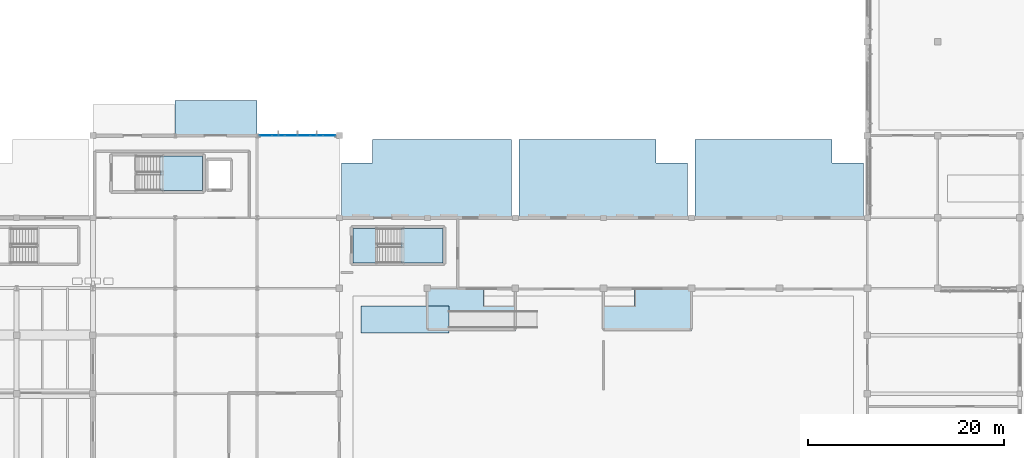
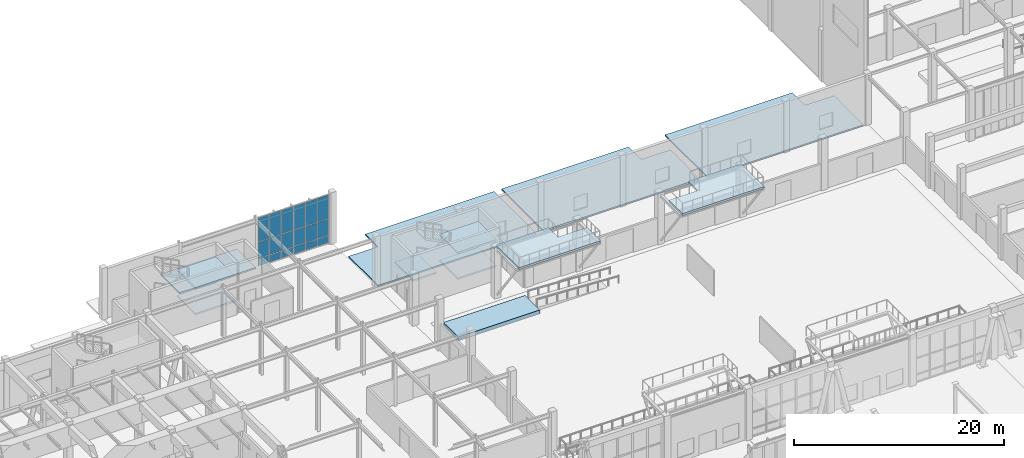
# One storey, part 68 of 110: 18 plates, 12 slabs, 3 elements without a shape of their own.
"""IFC4 building model written with IfcOpenShell, lengths in metres."""

from ifc_helpers import new_model, si_unit, direction, frame, origin, origin_2d, place, context, subcontext, project, spatial, polyline, rectangle, outline, extrude, material, layer, layer_set, type_object, element, aggregate, save


model = new_model("IFC4")

# Units and contexts
model_context = context("Model", 3, precision=1e-05, world=origin(), true_north=direction((0.0, 1.0)))
body_context = subcontext(model_context, "Body", "Model", "MODEL_VIEW")
ifc_project = project(units=[si_unit("LENGTHUNIT", "METRE"), si_unit("AREAUNIT", "SQUARE_METRE"), si_unit("VOLUMEUNIT", "CUBIC_METRE"), si_unit("PLANEANGLEUNIT", "RADIAN"), si_unit("MASSUNIT", "GRAM", prefix="KILO")], contexts=[model_context])

# Site, building, storey
site_placement = place(None, origin())
site = spatial("IfcSite", under=ifc_project, at=site_placement, CompositionType="ELEMENT")
building_placement = place(site_placement, origin())
building = spatial("IfcBuilding", under=site, at=building_placement, Name="Tizgana Railside Sports Hall", CompositionType="ELEMENT")
storey_placement = place(building_placement, origin())
storey = spatial("IfcBuildingStorey", under=building, at=storey_placement, Name="L00", CompositionType="ELEMENT", Elevation=0.0)

# Stair, slabs
ifc_material_1 = material(Name="Concrete C35/45", Category="concrete")
stair_type = type_object("IfcStairType", Name="Concourse Feature Stair 1800", PredefinedType="HALF_TURN_STAIR", material=ifc_material_1)
stair_1_placement = place(storey_placement, origin())
stair_1 = element("IfcStair", 1, at=stair_1_placement, inside=storey, type_object=stair_type, Name="L00 Core Stair ST-04", PredefinedType="HALF_TURN_STAIR")
ifc_layer_1 = layer(ifc_material_1, 0.199951171875, Name="Concrete C35/45")
ifc_layer_set_1 = layer_set([ifc_layer_1], Name="Concrete C35/45")
slab_type_1 = type_object("IfcSlabType", Name="Core Stair Landing Slab 200", PredefinedType="LANDING", material=ifc_layer_set_1)
slab_1_placement = place(storey_placement, frame((0.0, 0.0, 1.300048828125)))
slab_1 = element("IfcSlab", 2, at=slab_1_placement, type_object=slab_type_1, Name="ST-04 landing 1", PredefinedType="LANDING", context=body_context, shape_type="SweptSolid", body=[
    extrude(outline(polyline([(61.52001953125, 83.199951171875), (65.800048828125, 83.199951171875), (65.800048828125, 86.699951171875), (61.52001953125, 86.699951171875), (61.52001953125, 83.199951171875)])), origin(), (0.0, 0.0, 1.0), 0.199951171875),
])
slab_2_placement = place(storey_placement, frame((0.0, 0.0, 4.300048828125)))
slab_2 = element("IfcSlab", 3, at=slab_2_placement, type_object=slab_type_1, Name="ST-04 landing 3", PredefinedType="LANDING", context=body_context, shape_type="SweptSolid", body=[
    extrude(outline(polyline([(61.52001953125, 83.199951171875), (65.800048828125, 83.199951171875), (65.800048828125, 86.699951171875), (61.52001953125, 86.699951171875), (61.52001953125, 83.199951171875)])), origin(), (0.0, 0.0, 1.0), 0.199951171875),
])
aggregate(stair_1, [slab_1, slab_2])

stair_2_placement = place(storey_placement, origin())
stair_2 = element("IfcStair", 4, at=stair_2_placement, inside=storey, type_object=stair_type, Name="L00 Core Stair ST-08", PredefinedType="HALF_TURN_STAIR")
slab_3_placement = place(storey_placement, frame((0.0, 0.0, 1.300048828125)))
slab_3 = element("IfcSlab", 5, at=slab_3_placement, type_object=slab_type_1, Name="ST-08 landing 1", PredefinedType="LANDING", context=body_context, shape_type="SweptSolid", body=[
    extrude(outline(polyline([(86.1201171875, 75.800048828125), (90.39990234375, 75.800048828125), (90.39990234375, 79.300048828125), (86.1201171875, 79.300048828125), (86.1201171875, 75.800048828125)])), origin(), (0.0, 0.0, 1.0), 0.199951171875),
])
slab_4_placement = place(storey_placement, frame((0.0, 0.0, 2.800048828125)))
slab_4 = element("IfcSlab", 6, at=slab_4_placement, type_object=slab_type_1, Name="ST-08 landing 2", PredefinedType="LANDING", context=body_context, shape_type="SweptSolid", body=[
    extrude(outline(polyline([(81.199951171875, 75.800048828125), (83.780029296875, 75.800048828125), (83.780029296875, 79.300048828125), (81.199951171875, 79.300048828125), (81.199951171875, 75.800048828125)])), origin(), (0.0, 0.0, 1.0), 0.199951171875),
])
slab_5_placement = place(storey_placement, frame((0.0, 0.0, 4.300048828125)))
slab_5 = element("IfcSlab", 7, at=slab_5_placement, type_object=slab_type_1, Name="ST-08 landing 3", PredefinedType="LANDING", context=body_context, shape_type="SweptSolid", body=[
    extrude(outline(polyline([(86.1201171875, 75.800048828125), (90.39990234375, 75.800048828125), (90.39990234375, 79.300048828125), (86.1201171875, 79.300048828125), (86.1201171875, 75.800048828125)])), origin(), (0.0, 0.0, 1.0), 0.199951171875),
])
aggregate(stair_2, [slab_3, slab_4, slab_5])

# Slabs
ifc_layer_2 = layer(ifc_material_1, 0.169921875, Name="Concrete C35/45")
ifc_layer_set_2 = layer_set([ifc_layer_2], Name="Concrete C35/45")
slab_type_2 = type_object("IfcSlabType", Name="Entrance Canopy & Apron Deck 170", PredefinedType="FLOOR", material=ifc_layer_set_2)
slab_6_placement = place(storey_placement, frame((0.0, 0.0, -0.169921875)))
element("IfcSlab", 8, at=slab_6_placement, inside=storey, type_object=slab_type_2, Name="L00 Trackside Promenade Segment 3 SLB-0073", PredefinedType="FLOOR", context=body_context, shape_type="SweptSolid", body=[
    extrude(outline(polyline([(80.0, 80.39990234375), (97.39990234375, 80.39990234375), (97.39990234375, 88.39990234375), (83.199951171875, 88.39990234375), (83.199951171875, 86.0), (80.0, 86.0), (80.0, 80.39990234375)])), origin(), (0.0, 0.0, 1.0), 0.169921875),
])
slab_7_placement = place(storey_placement, frame((0.0, 0.0, -0.169921875)))
element("IfcSlab", 9, at=slab_7_placement, inside=storey, type_object=slab_type_2, Name="L00 Trackside Promenade Segment 4 SLB-0074", PredefinedType="FLOOR", context=body_context, shape_type="SweptSolid", body=[
    extrude(outline(polyline([(98.199951171875, 80.39990234375), (115.39990234375, 80.39990234375), (115.39990234375, 86.0), (112.199951171875, 86.0), (112.199951171875, 88.39990234375), (98.199951171875, 88.39990234375), (98.199951171875, 80.39990234375)])), origin(), (0.0, 0.0, 1.0), 0.169921875),
])
slab_8_placement = place(storey_placement, frame((0.0, 0.0, -0.169921875)))
element("IfcSlab", 10, at=slab_8_placement, inside=storey, type_object=slab_type_2, Name="L00 Trackside Promenade Segment 5 SLB-0075", PredefinedType="FLOOR", context=body_context, shape_type="SweptSolid", body=[
    extrude(outline(polyline([(116.199951171875, 80.39990234375), (133.39990234375, 80.39990234375), (133.39990234375, 86.0), (130.199951171875, 86.0), (130.199951171875, 88.39990234375), (116.199951171875, 88.39990234375), (116.199951171875, 80.39990234375)])), origin(), (0.0, 0.0, 1.0), 0.169921875),
])
slab_9_placement = place(storey_placement, frame((0.0, 0.0, -0.169921875)))
element("IfcSlab", 11, at=slab_9_placement, inside=storey, type_object=slab_type_2, Name="L00 Public Passage North Entrance Apron APR-0006", PredefinedType="FLOOR", context=body_context, shape_type="SweptSolid", body=[
    extrude(outline(polyline([(63.0, 88.800048828125), (71.39990234375, 88.800048828125), (71.39990234375, 92.39990234375), (63.0, 92.39990234375), (63.0, 88.800048828125)])), origin(), (0.0, 0.0, 1.0), 0.169921875),
])

# Curtain wall, plates
ifc_material_2 = material(Name="Anodised aluminium and glass", Category="aluminium")
curtain_wall_type = type_object("IfcCurtainWallType", Name="Unitised Curtain Wall WestHall 1560", PredefinedType="NOTDEFINED", material=ifc_material_2)
curtain_wall_placement = place(storey_placement, origin())
curtain_wall = element("IfcCurtainWall", 12, at=curtain_wall_placement, inside=storey, type_object=curtain_wall_type, Name="L00 Curtain Wall CW-0038", PredefinedType="NOTDEFINED")
ifc_material_3 = material(Name="Double low-E laminated glass", Category="glass")
ifc_layer_3 = layer(ifc_material_3, 0.0400390625, Name="Double low-E laminated glass")
ifc_layer_set_3 = layer_set([ifc_layer_3], Name="Double low-E laminated glass")
plate_type = type_object("IfcPlateType", Name="High-Span Tempered Glazing Panel 40", PredefinedType="CURTAIN_PANEL", material=ifc_layer_set_3)
plate_1_placement = place(storey_placement, frame((72.2734375, 88.800048828125, 0.10498046875), z_axis=(0.0, 0.0, 1.0), x_axis=(1.0, 0.0, 0.0)))
plate_1 = element("IfcPlate", 13, at=plate_1_placement, type_object=plate_type, Name="CW-07 panel 1.1", PredefinedType="CURTAIN_PANEL", context=body_context, shape_type="SweptSolid", body=[
    extrude(rectangle(XDim=1.216552734375, YDim=0.0400390625, at=origin_2d()), origin(), (0.0, 0.0, 1.0), 0.81005859375),
])
plate_2_placement = place(storey_placement, frame((72.2734375, 88.800048828125, 0.97509765625), z_axis=(0.0, 0.0, 1.0), x_axis=(1.0, 0.0, 0.0)))
plate_2 = element("IfcPlate", 14, at=plate_2_placement, type_object=plate_type, Name="CW-07 panel 1.2", PredefinedType="CURTAIN_PANEL", context=body_context, shape_type="SweptSolid", body=[
    extrude(rectangle(XDim=1.216552734375, YDim=0.0400390625, at=origin_2d()), origin(), (0.0, 0.0, 1.0), 1.882568359375),
])
plate_3_placement = place(storey_placement, frame((72.2734375, 88.800048828125, 2.91748046875), z_axis=(0.0, 0.0, 1.0), x_axis=(1.0, 0.0, 0.0)))
plate_3 = element("IfcPlate", 15, at=plate_3_placement, type_object=plate_type, Name="CW-07 panel 1.3", PredefinedType="CURTAIN_PANEL", context=body_context, shape_type="SweptSolid", body=[
    extrude(rectangle(XDim=1.216552734375, YDim=0.0400390625, at=origin_2d()), origin(), (0.0, 0.0, 1.0), 2.75244140625),
])
plate_4_placement = place(storey_placement, frame((73.56494140625, 88.800048828125, 0.10498046875), z_axis=(0.0, 0.0, 1.0), x_axis=(1.0, 0.0, 0.0)))
plate_4 = element("IfcPlate", 16, at=plate_4_placement, type_object=plate_type, Name="CW-07 panel 2.1", PredefinedType="CURTAIN_PANEL", context=body_context, shape_type="SweptSolid", body=[
    extrude(rectangle(XDim=1.24658203125, YDim=0.0400390625, at=origin_2d()), origin(), (0.0, 0.0, 1.0), 0.81005859375),
])
plate_5_placement = place(storey_placement, frame((73.56494140625, 88.800048828125, 0.97509765625), z_axis=(0.0, 0.0, 1.0), x_axis=(1.0, 0.0, 0.0)))
plate_5 = element("IfcPlate", 17, at=plate_5_placement, type_object=plate_type, Name="CW-07 panel 2.2", PredefinedType="CURTAIN_PANEL", context=body_context, shape_type="SweptSolid", body=[
    extrude(rectangle(XDim=1.24658203125, YDim=0.0400390625, at=origin_2d()), origin(), (0.0, 0.0, 1.0), 1.882568359375),
])
plate_6_placement = place(storey_placement, frame((73.56494140625, 88.800048828125, 2.91748046875), z_axis=(0.0, 0.0, 1.0), x_axis=(1.0, 0.0, 0.0)))
plate_6 = element("IfcPlate", 18, at=plate_6_placement, type_object=plate_type, Name="CW-07 panel 2.3", PredefinedType="CURTAIN_PANEL", context=body_context, shape_type="SweptSolid", body=[
    extrude(rectangle(XDim=1.24658203125, YDim=0.0400390625, at=origin_2d()), origin(), (0.0, 0.0, 1.0), 2.75244140625),
])
plate_7_placement = place(storey_placement, frame((74.87158203125, 88.800048828125, 0.10498046875), z_axis=(0.0, 0.0, 1.0), x_axis=(1.0, 0.0, 0.0)))
plate_7 = element("IfcPlate", 19, at=plate_7_placement, type_object=plate_type, Name="CW-07 panel 3.1", PredefinedType="CURTAIN_PANEL", context=body_context, shape_type="SweptSolid", body=[
    extrude(rectangle(XDim=1.24658203125, YDim=0.0400390625, at=origin_2d()), origin(), (0.0, 0.0, 1.0), 0.81005859375),
])
plate_8_placement = place(storey_placement, frame((74.87158203125, 88.800048828125, 0.97509765625), z_axis=(0.0, 0.0, 1.0), x_axis=(1.0, 0.0, 0.0)))
plate_8 = element("IfcPlate", 20, at=plate_8_placement, type_object=plate_type, Name="CW-07 panel 3.2", PredefinedType="CURTAIN_PANEL", context=body_context, shape_type="SweptSolid", body=[
    extrude(rectangle(XDim=1.24658203125, YDim=0.0400390625, at=origin_2d()), origin(), (0.0, 0.0, 1.0), 1.882568359375),
])
plate_9_placement = place(storey_placement, frame((74.87158203125, 88.800048828125, 2.91748046875), z_axis=(0.0, 0.0, 1.0), x_axis=(1.0, 0.0, 0.0)))
plate_9 = element("IfcPlate", 21, at=plate_9_placement, type_object=plate_type, Name="CW-07 panel 3.3", PredefinedType="CURTAIN_PANEL", context=body_context, shape_type="SweptSolid", body=[
    extrude(rectangle(XDim=1.24658203125, YDim=0.0400390625, at=origin_2d()), origin(), (0.0, 0.0, 1.0), 2.75244140625),
])
plate_10_placement = place(storey_placement, frame((76.17822265625, 88.800048828125, 0.10498046875), z_axis=(0.0, 0.0, 1.0), x_axis=(1.0, 0.0, 0.0)))
plate_10 = element("IfcPlate", 22, at=plate_10_placement, type_object=plate_type, Name="CW-07 panel 4.1", PredefinedType="CURTAIN_PANEL", context=body_context, shape_type="SweptSolid", body=[
    extrude(rectangle(XDim=1.24658203125, YDim=0.0400390625, at=origin_2d()), origin(), (0.0, 0.0, 1.0), 0.81005859375),
])
plate_11_placement = place(storey_placement, frame((76.17822265625, 88.800048828125, 0.97509765625), z_axis=(0.0, 0.0, 1.0), x_axis=(1.0, 0.0, 0.0)))
plate_11 = element("IfcPlate", 23, at=plate_11_placement, type_object=plate_type, Name="CW-07 panel 4.2", PredefinedType="CURTAIN_PANEL", context=body_context, shape_type="SweptSolid", body=[
    extrude(rectangle(XDim=1.24658203125, YDim=0.0400390625, at=origin_2d()), origin(), (0.0, 0.0, 1.0), 1.882568359375),
])
plate_12_placement = place(storey_placement, frame((76.17822265625, 88.800048828125, 2.91748046875), z_axis=(0.0, 0.0, 1.0), x_axis=(1.0, 0.0, 0.0)))
plate_12 = element("IfcPlate", 24, at=plate_12_placement, type_object=plate_type, Name="CW-07 panel 4.3", PredefinedType="CURTAIN_PANEL", context=body_context, shape_type="SweptSolid", body=[
    extrude(rectangle(XDim=1.24658203125, YDim=0.0400390625, at=origin_2d()), origin(), (0.0, 0.0, 1.0), 2.75244140625),
])
plate_13_placement = place(storey_placement, frame((77.485107421875, 88.800048828125, 0.10498046875), z_axis=(0.0, 0.0, 1.0), x_axis=(1.0, 0.0, 0.0)))
plate_13 = element("IfcPlate", 25, at=plate_13_placement, type_object=plate_type, Name="CW-07 panel 5.1", PredefinedType="CURTAIN_PANEL", context=body_context, shape_type="SweptSolid", body=[
    extrude(rectangle(XDim=1.24658203125, YDim=0.0400390625, at=origin_2d()), origin(), (0.0, 0.0, 1.0), 0.81005859375),
])
plate_14_placement = place(storey_placement, frame((77.485107421875, 88.800048828125, 0.97509765625), z_axis=(0.0, 0.0, 1.0), x_axis=(1.0, 0.0, 0.0)))
plate_14 = element("IfcPlate", 26, at=plate_14_placement, type_object=plate_type, Name="CW-07 panel 5.2", PredefinedType="CURTAIN_PANEL", context=body_context, shape_type="SweptSolid", body=[
    extrude(rectangle(XDim=1.24658203125, YDim=0.0400390625, at=origin_2d()), origin(), (0.0, 0.0, 1.0), 1.882568359375),
])
plate_15_placement = place(storey_placement, frame((77.485107421875, 88.800048828125, 2.91748046875), z_axis=(0.0, 0.0, 1.0), x_axis=(1.0, 0.0, 0.0)))
plate_15 = element("IfcPlate", 27, at=plate_15_placement, type_object=plate_type, Name="CW-07 panel 5.3", PredefinedType="CURTAIN_PANEL", context=body_context, shape_type="SweptSolid", body=[
    extrude(rectangle(XDim=1.24658203125, YDim=0.0400390625, at=origin_2d()), origin(), (0.0, 0.0, 1.0), 2.75244140625),
])
plate_16_placement = place(storey_placement, frame((78.776611328125, 88.800048828125, 0.10498046875), z_axis=(0.0, 0.0, 1.0), x_axis=(1.0, 0.0, 0.0)))
plate_16 = element("IfcPlate", 28, at=plate_16_placement, type_object=plate_type, Name="CW-07 panel 6.1", PredefinedType="CURTAIN_PANEL", context=body_context, shape_type="SweptSolid", body=[
    extrude(rectangle(XDim=1.216552734375, YDim=0.0400390625, at=origin_2d()), origin(), (0.0, 0.0, 1.0), 0.81005859375),
])
plate_17_placement = place(storey_placement, frame((78.776611328125, 88.800048828125, 0.97509765625), z_axis=(0.0, 0.0, 1.0), x_axis=(1.0, 0.0, 0.0)))
plate_17 = element("IfcPlate", 29, at=plate_17_placement, type_object=plate_type, Name="CW-07 panel 6.2", PredefinedType="CURTAIN_PANEL", context=body_context, shape_type="SweptSolid", body=[
    extrude(rectangle(XDim=1.216552734375, YDim=0.0400390625, at=origin_2d()), origin(), (0.0, 0.0, 1.0), 1.882568359375),
])
plate_18_placement = place(storey_placement, frame((78.776611328125, 88.800048828125, 2.91748046875), z_axis=(0.0, 0.0, 1.0), x_axis=(1.0, 0.0, 0.0)))
plate_18 = element("IfcPlate", 30, at=plate_18_placement, type_object=plate_type, Name="CW-07 panel 6.3", PredefinedType="CURTAIN_PANEL", context=body_context, shape_type="SweptSolid", body=[
    extrude(rectangle(XDim=1.216552734375, YDim=0.0400390625, at=origin_2d()), origin(), (0.0, 0.0, 1.0), 2.75244140625),
])
aggregate(curtain_wall, [plate_1, plate_2, plate_3, plate_4, plate_5, plate_6, plate_7, plate_8, plate_9, plate_10, plate_11, plate_12, plate_13, plate_14, plate_15, plate_16, plate_17, plate_18])

# Slabs
ifc_layer_4 = layer(ifc_material_1, 0.22998046875, Name="Concrete C35/45")
ifc_layer_set_4 = layer_set([ifc_layer_4], Name="Concrete C35/45")
slab_type_3 = type_object("IfcSlabType", Name="Suspended Gallery Floor Slab 230", PredefinedType="FLOOR", material=ifc_layer_set_4)
slab_10_placement = place(storey_placement, frame((0.0, 0.0, 5.77001953125)))
element("IfcSlab", 31, at=slab_10_placement, inside=storey, type_object=slab_type_3, Name="L00 V2 Court2 Catwalk NW SLB-0121", PredefinedType="FLOOR", context=body_context, shape_type="SweptSolid", body=[
    extrude(outline(polyline([(88.800048828125, 68.800048828125), (97.800048828125, 68.800048828125), (97.800048828125, 71.39990234375), (94.60009765625, 71.39990234375), (94.60009765625, 73.199951171875), (88.800048828125, 73.199951171875), (88.800048828125, 68.800048828125)])), origin(), (0.0, 0.0, 1.0), 0.22998046875),
])
slab_11_placement = place(storey_placement, frame((0.0, 0.0, 5.77001953125)))
element("IfcSlab", 32, at=slab_11_placement, inside=storey, type_object=slab_type_3, Name="L00 V2 Court2 Catwalk NE SLB-0122", PredefinedType="FLOOR", context=body_context, shape_type="SweptSolid", body=[
    extrude(outline(polyline([(106.800048828125, 68.800048828125), (115.800048828125, 68.800048828125), (115.800048828125, 73.199951171875), (110.0, 73.199951171875), (110.0, 71.39990234375), (106.800048828125, 71.39990234375), (106.800048828125, 68.800048828125)])), origin(), (0.0, 0.0, 1.0), 0.22998046875),
])
slab_12_placement = place(storey_placement, origin())
element("IfcSlab", 33, at=slab_12_placement, inside=storey, type_object=slab_type_3, Name="L00 Wheelchair Viewing Platform 1", PredefinedType="FLOOR", context=body_context, shape_type="SweptSolid", body=[
    extrude(outline(polyline([(82.0, 68.60009765625), (91.0, 68.60009765625), (91.0, 71.39990234375), (82.0, 71.39990234375), (82.0, 68.60009765625)])), origin(), (0.0, 0.0, 1.0), 0.449951171875),
])

save(model, "model.ifc")
